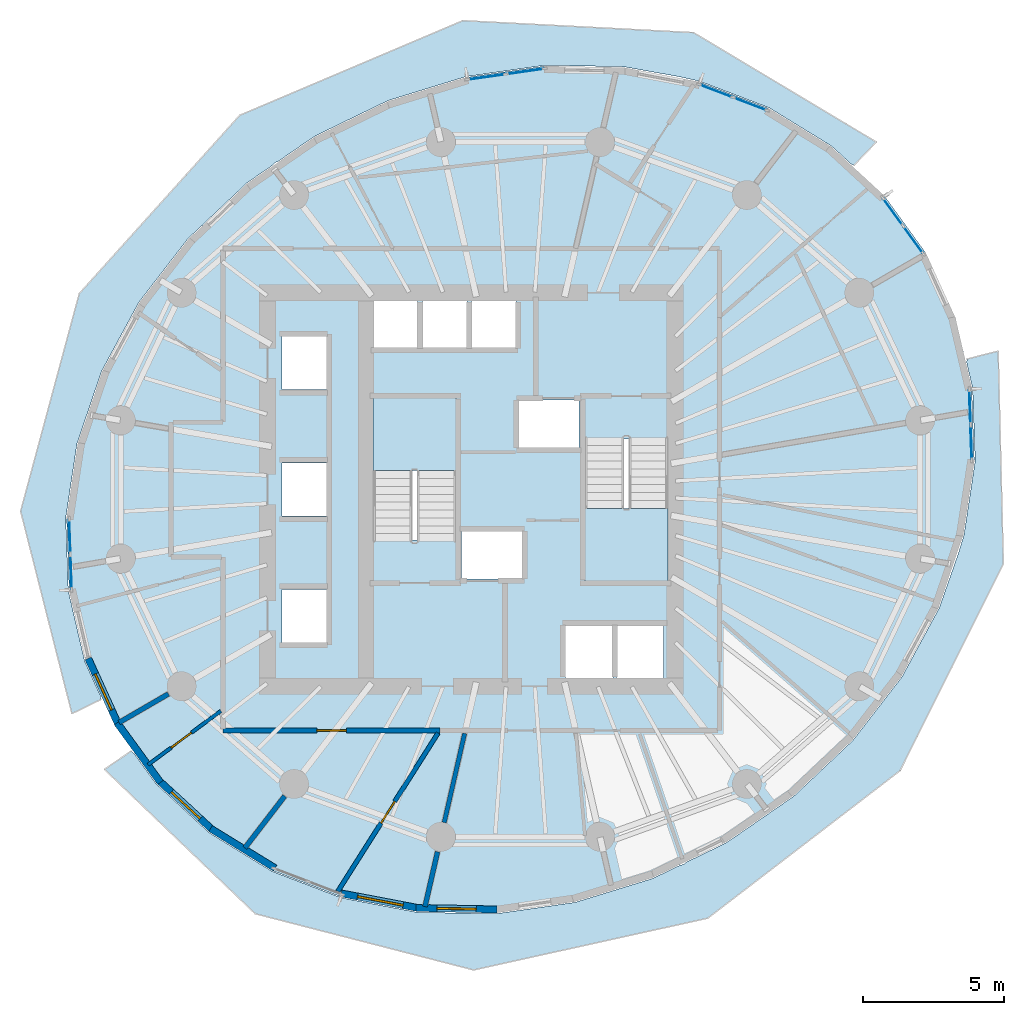
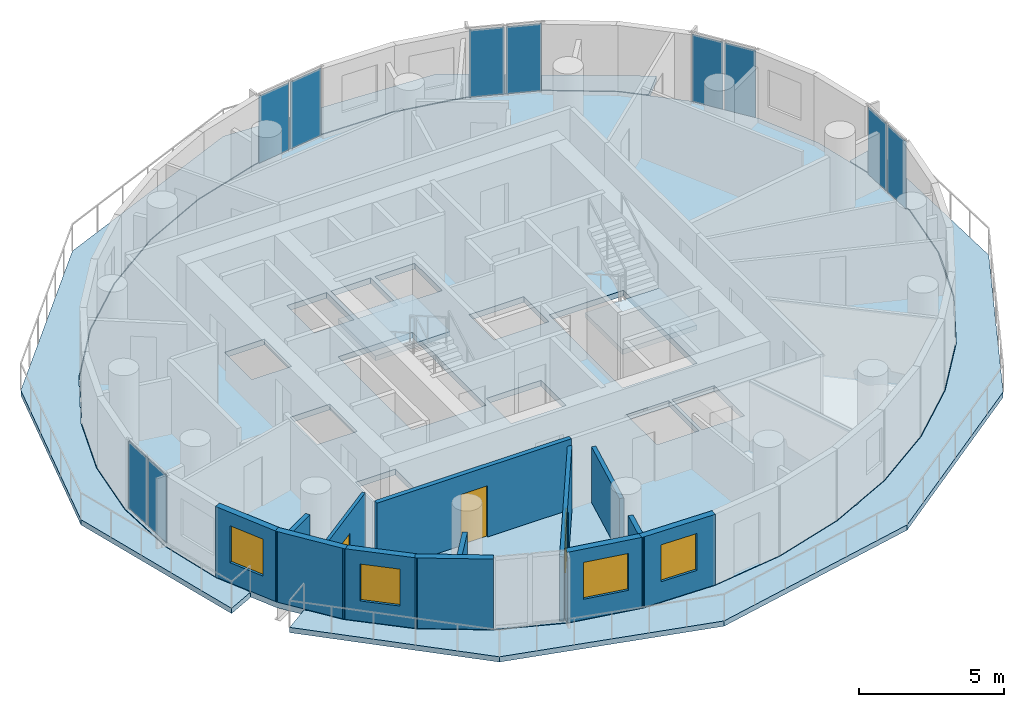
# One storey, part 5 of 14: 13 walls, 10 plates, 5 slabs, 4 windows, 3 doors, 7 openings, 7 elements without a shape of their own.
"""IFC4 building model written with IfcOpenShell, lengths in metres."""

import ifcopenshell
import ifcopenshell.guid

model = None  # the IFC model being written
_history = None  # IfcOwnerHistory: only IFC2X3 demands one
_inside = {}  # id of a spatial element -> (the spatial element, [elements in it])
_under = {}  # id of a project, library or spatial element -> (it, [spatial elements below it])
_declared = {}  # id of a project -> (the project, [libraries it declares])
_typed = {}  # id of a type object -> (the type object, [elements of that type])
_made_of = {}  # id of a material, layer set ... -> (it, [elements and type objects made of it])


def new_model(schema):
    """Start an empty IFC model of exactly this schema.

    Asked for "IFC4X3", IfcOpenShell would pick the latest addendum, in which some entities
    have other attributes; the version numbers below select the first issue.
    IFC2X3 requires an IfcOwnerHistory on every rooted entity: one is made here for all.
    """
    global model, _history
    if schema == "IFC4X3":
        model = ifcopenshell.file(schema_version=(4, 3, 0, 0))
    else:
        model = ifcopenshell.file(schema=schema)
    _inside.clear()
    _under.clear()
    _declared.clear()
    _typed.clear()
    _made_of.clear()
    _history = None
    if model.schema == "IFC2X3":
        org = make("IfcOrganization", Name="unknown")
        user = make(
            "IfcPersonAndOrganization",
            ThePerson=make("IfcPerson", FamilyName="unknown"),
            TheOrganization=org,
        )
        app = make(
            "IfcApplication",
            ApplicationDeveloper=org,
            Version="unknown",
            ApplicationFullName="unknown",
            ApplicationIdentifier="unknown",
        )
        _history = make(
            "IfcOwnerHistory",
            OwningUser=user,
            OwningApplication=app,
            ChangeAction="ADDED",
            CreationDate=0,
        )
    return model


def make(cls, **values):
    """One entity of the class cls with the attributes given. An attribute that is None is left unset."""
    return model.create_entity(
        cls, **{name: value for name, value in values.items() if value is not None}
    )


def rooted(cls, **values):
    """An entity with a GlobalId (a new one), such as an element, a storey or a relation."""
    return make(cls, GlobalId=ifcopenshell.guid.new(), OwnerHistory=_history, **values)


def si_unit(unit_type, name, prefix=None):
    """IfcSIUnit, for example si_unit("LENGTHUNIT", "METRE", prefix="MILLI")."""
    return make("IfcSIUnit", UnitType=unit_type, Prefix=prefix, Name=name)


def assignment(units):
    """IfcUnitAssignment: the units of a project."""
    return None if units is None else make("IfcUnitAssignment", Units=units)


def point(xyz):
    """IfcCartesianPoint."""
    return None if xyz is None else make("IfcCartesianPoint", Coordinates=xyz)


def direction(xyz):
    """IfcDirection."""
    return None if xyz is None else make("IfcDirection", DirectionRatios=xyz)


def frame(location, z_axis=None, x_axis=None):
    """IfcAxis2Placement3D, a coordinate frame: its origin and axes. An axis left out is left unset."""
    return make(
        "IfcAxis2Placement3D",
        Location=point(location),
        Axis=direction(z_axis),
        RefDirection=direction(x_axis),
    )


def frame_2d(location, x_axis=None):
    """IfcAxis2Placement2D, a coordinate frame in the plane: its origin and x axis."""
    return make(
        "IfcAxis2Placement2D", Location=point(location), RefDirection=direction(x_axis)
    )


def origin():
    """The frame at (0, 0, 0) with its axes left unset."""
    return frame((0.0, 0.0, 0.0))


def origin_2d():
    """The frame at (0, 0) in the plane with its x axis left unset."""
    return frame_2d((0.0, 0.0))


def place(relative_to, where):
    """IfcLocalPlacement: puts the frame where relative to a parent placement (None: the world)."""
    return make(
        "IfcLocalPlacement", PlacementRelTo=relative_to, RelativePlacement=where
    )


def context(
    kind, dimensions, precision=None, world=None, true_north=None, identifier=None
):
    """IfcGeometricRepresentationContext, for example the 3D "Model" context."""
    return make(
        "IfcGeometricRepresentationContext",
        ContextIdentifier=identifier,
        ContextType=kind,
        CoordinateSpaceDimension=dimensions,
        Precision=precision,
        WorldCoordinateSystem=world,
        TrueNorth=true_north,
    )


def subcontext(parent, identifier, kind, view, scale=None):
    """IfcGeometricRepresentationSubContext, for example "Body" below "Model"."""
    return make(
        "IfcGeometricRepresentationSubContext",
        ContextIdentifier=identifier,
        ContextType=kind,
        ParentContext=parent,
        TargetScale=scale,
        TargetView=view,
    )


def project(units=None, contexts=None):
    """IfcProject with its units and contexts."""
    return rooted(
        "IfcProject",
        Name="project",
        RepresentationContexts=contexts,
        UnitsInContext=assignment(units),
    )


def spatial(cls, under=None, at=None, **own):
    """A site, building, storey or space (cls), placed at a placement, below another one or the project."""
    s = rooted(cls, ObjectPlacement=at, **own)
    if under is not None:
        _under.setdefault(under.id(), (under, []))[1].append(s)
    return s


def polyline(points):
    """IfcPolyline through the points."""
    return make("IfcPolyline", Points=[point(p) for p in points])


def profile(cls, at=None, kind="AREA", **sizes):
    """A parametric profile (cls). Its sizes go by their IFC names, for example OverallWidth=200.0."""
    return make(cls, ProfileType=kind, Position=at, **sizes)


def rectangle(**sizes):
    """IfcRectangleProfileDef."""
    return profile("IfcRectangleProfileDef", **sizes)


def outline(outer, holes=None, kind="AREA"):
    """IfcArbitraryClosedProfileDef: a profile drawn as a closed curve; with holes, ...WithVoids."""
    if holes is None:
        return make("IfcArbitraryClosedProfileDef", ProfileType=kind, OuterCurve=outer)
    return make(
        "IfcArbitraryProfileDefWithVoids",
        ProfileType=kind,
        OuterCurve=outer,
        InnerCurves=holes,
    )


def extrude(swept, where, along, depth):
    """IfcExtrudedAreaSolid: the profile swept, set in the frame where, extruded along a direction by depth."""
    return make(
        "IfcExtrudedAreaSolid",
        SweptArea=swept,
        Position=where,
        ExtrudedDirection=direction(along),
        Depth=depth,
    )


def shape(context_of_items, identifier, shape_type, items):
    """IfcShapeRepresentation: the items that make up one representation, for example the "Body"."""
    return make(
        "IfcShapeRepresentation",
        ContextOfItems=context_of_items,
        RepresentationIdentifier=identifier,
        RepresentationType=shape_type,
        Items=items,
    )


def material(Name=None, Category=None):
    """IfcMaterial."""
    return make("IfcMaterial", Name=Name, Category=Category)


def layer(
    of_material, thickness, ventilated=None, Name=None, Category=None, Priority=None
):
    """IfcMaterialLayer: one layer of a wall or slab, of a material (None: an air gap)."""
    return make(
        "IfcMaterialLayer",
        Material=of_material,
        LayerThickness=thickness,
        IsVentilated=ventilated,
        Name=Name,
        Category=Category,
        Priority=Priority,
    )


def layer_set(layers, Name=None):
    """IfcMaterialLayerSet."""
    return make("IfcMaterialLayerSet", MaterialLayers=layers, LayerSetName=Name)


def made_of(thing, what):
    """Note that an element or type object is made of a material, layer set ...; save() writes the relation."""
    if what is not None:
        _made_of.setdefault(what.id(), (what, []))[1].append(thing)
    return thing


def type_object(cls, material=None, **own):
    """A type object (cls), such as IfcWallType, which elements share."""
    return made_of(rooted(cls, **own), material)


def element(
    cls,
    number,
    at=None,
    inside=None,
    cuts=None,
    type_object=None,
    material=None,
    context=None,
    identifier="Body",
    shape_type=None,
    held_by="IfcProductDefinitionShape",
    body=None,
    shapes=None,
    **own,
):
    """One element of the class cls, such as IfcWall. Its Tag is "e" and its number.

    at: its placement. inside: the storey or other place that contains it. cuts: it is an
    opening in that element (IfcRelVoidsElement). A single representation is given by context,
    identifier, shape_type and body (its items); several are given by shapes. held_by: the class
    of the entity that holds the representations. save() writes the other relations.
    """
    e = rooted(cls, Tag="e%d" % number, ObjectPlacement=at, **own)
    if body is not None:
        shapes = [shape(context, identifier, shape_type, body)]
    if shapes is not None:
        e.Representation = make(held_by, Representations=shapes)
    if inside is not None:
        _inside.setdefault(inside.id(), (inside, []))[1].append(e)
    if cuts is not None:
        rooted(
            "IfcRelVoidsElement", RelatingBuildingElement=cuts, RelatedOpeningElement=e
        )
    if type_object is not None:
        _typed.setdefault(type_object.id(), (type_object, []))[1].append(e)
    return made_of(e, material)


def fill(opening, filler):
    """IfcRelFillsElement: the door or window that sits in an opening."""
    return rooted(
        "IfcRelFillsElement",
        RelatingOpeningElement=opening,
        RelatedBuildingElement=filler,
    )


def aggregate(whole, parts):
    """IfcRelAggregates: a whole, such as a stair, and the parts it consists of."""
    return rooted("IfcRelAggregates", RelatingObject=whole, RelatedObjects=parts)


def save(model, path):
    """Write the relations noted so far, then the file.

    IfcRelAggregates (storeys below a building ...), IfcRelContainedInSpatialStructure (elements
    in a storey), IfcRelDefinesByType, IfcRelAssociatesMaterial and IfcRelDeclares: one each for
    every whole, place, type object, material and project.
    """
    for whole, parts in _under.values():
        aggregate(whole, parts)
    for where, things in _inside.values():
        rooted(
            "IfcRelContainedInSpatialStructure",
            RelatedElements=things,
            RelatingStructure=where,
        )
    for kind, things in _typed.values():
        rooted("IfcRelDefinesByType", RelatedObjects=things, RelatingType=kind)
    for what, things in _made_of.values():
        rooted("IfcRelAssociatesMaterial", RelatedObjects=things, RelatingMaterial=what)
    for by, libraries in _declared.values():
        rooted("IfcRelDeclares", RelatingContext=by, RelatedDefinitions=libraries)
    model.write(path)


model = new_model("IFC4")

# Units and contexts
model_context = context("Model", 3, precision=1e-05, world=origin(), true_north=direction((0.0, 1.0)))
body_context = subcontext(model_context, "Body", "Model", "MODEL_VIEW")
ifc_project = project(units=[si_unit("LENGTHUNIT", "METRE"), si_unit("AREAUNIT", "SQUARE_METRE"), si_unit("VOLUMEUNIT", "CUBIC_METRE"), si_unit("PLANEANGLEUNIT", "RADIAN"), si_unit("MASSUNIT", "GRAM", prefix="KILO")], contexts=[model_context])

# Site, building, storey
site_placement = place(None, origin())
site = spatial("IfcSite", under=ifc_project, at=site_placement, CompositionType="ELEMENT")
building_placement = place(site_placement, origin())
building = spatial("IfcBuilding", under=site, at=building_placement, Name="Veldorim Arch Residences", CompositionType="ELEMENT")
storey_placement = place(building_placement, frame((0.0, 0.0, 126.56005859375)))
storey = spatial("IfcBuildingStorey", under=building, at=storey_placement, Name="L37", CompositionType="ELEMENT", Elevation=126.56005859375)

# Slabs
ifc_material_1 = material(Name="Concrete C40/50", Category="concrete")
ifc_layer_1 = layer(ifc_material_1, 0.219970703125, Name="Planted Crescent Cantilever Balcony Slab 220")
ifc_layer_set_1 = layer_set([ifc_layer_1], Name="Concrete C40/50")
slab_type_1 = type_object("IfcSlabType", Name="Planted Crescent Cantilever Balcony Slab 220", PredefinedType="FLOOR", material=ifc_layer_set_1)
slab_1_placement = place(storey_placement, frame((0.0, 0.0, -0.219970703125)))
element("IfcSlab", 1, at=slab_1_placement, inside=storey, type_object=slab_type_1, Name="L37 planted crescent balcony slab A", PredefinedType="FLOOR", context=body_context, shape_type="SweptSolid", body=[
    extrude(outline(polyline([(43.74560546875, 35.593017578125), (43.071533203125, 36.213623046875), (40.849365234375, 37.578369140625), (38.358642578125, 38.5302734375), (37.673095703125, 38.68115234375), (35.674560546875, 39.04052734375), (32.87939453125, 39.09375), (30.057373046875, 38.688720703125), (27.294677734375, 37.83740234375), (24.6748046875, 36.56591796875), (23.388916015625, 35.67919921875), (23.24951171875, 35.617919921875), (23.159423828125, 35.52099609375), (22.27734375, 34.91259765625), (20.17529296875, 32.927978515625), (18.432373046875, 30.672119140625), (17.101318359375, 28.213134765625), (16.222900390625, 25.626220703125), (15.823974609375, 22.98974609375), (15.91650390625, 20.3837890625), (16.498046875, 17.887451171875), (17.048583984375, 16.678955078125), (17.075439453125, 16.53125), (16.0419921875, 16.026611328125), (14.21630859375, 23.227783203125), (16.30322265625, 30.971435546875), (22.011962890625, 37.314208984375), (29.949951171875, 40.68115234375), (38.159423828125, 40.25537109375), (44.6591796875, 36.36328125), (43.863037109375, 35.533447265625), (43.74560546875, 35.593017578125)])), origin(), (0.0, 0.0, 1.0), 0.219970703125),
])
slab_2_placement = place(storey_placement, frame((0.0, 0.0, -0.219970703125)))
element("IfcSlab", 2, at=slab_2_placement, inside=storey, type_object=slab_type_1, Name="L37 planted crescent balcony slab B", PredefinedType="FLOOR", context=body_context, shape_type="SweptSolid", body=[
    extrude(outline(polyline([(18.262451171875, 14.5966796875), (19.042724609375, 13.522216796875), (20.928466796875, 11.786376953125), (23.150634765625, 10.421630859375), (25.641357421875, 9.4697265625), (28.325439453125, 8.95947265625), (31.12060546875, 8.90625), (33.942626953125, 9.311279296875), (36.705322265625, 10.16259765625), (37.66943359375, 10.630615234375), (37.798095703125, 10.6611328125), (37.919921875, 10.752197265625), (39.3251953125, 11.43408203125), (41.72265625, 13.08740234375), (43.82470703125, 15.072021484375), (45.567626953125, 17.327880859375), (46.898681640625, 19.786865234375), (47.570556640625, 21.702880859375), (47.777099609375, 22.373779296875), (48.176025390625, 25.01025390625), (48.08349609375, 27.6162109375), (47.87548828125, 28.50830078125), (47.881591796875, 28.64013671875), (48.995849609375, 28.924072265625), (49.18017578125, 21.3505859375), (45.505615234375, 13.996826171875), (38.664306640625, 8.748291015625), (30.332275390625, 6.906005859375), (22.5654296875, 8.905517578125), (17.19873046875, 14.04248046875), (18.147216796875, 14.69287109375), (18.262451171875, 14.5966796875)])), origin(), (0.0, 0.0, 1.0), 0.219970703125),
])

# Stair, slab
ifc_material_2 = material(Name="Concrete C40/50", Category="concrete")
stair_type = type_object("IfcStairType", Name="Reinforced Concrete Dogleg Exit Staircase", PredefinedType="HALF_TURN_STAIR", material=ifc_material_2)
stair_1_placement = place(storey_placement, origin())
stair_1 = element("IfcStair", 3, at=stair_1_placement, inside=storey, type_object=stair_type, Name="L37 Exit Staircase ST-1", PredefinedType="HALF_TURN_STAIR")
ifc_material_3 = material(Name="Concrete C40/50", Category="concrete")
ifc_layer_2 = layer(ifc_material_3, 0.199951171875, Name="Reinforced Concrete Stair Landing 200")
ifc_layer_set_2 = layer_set([ifc_layer_2], Name="Concrete C40/50")
slab_type_2 = type_object("IfcSlabType", Name="Reinforced Concrete Stair Landing 200", PredefinedType="LANDING", material=ifc_layer_set_2)
slab_3_placement = place(storey_placement, frame((0.0, 0.0, 1.39990234375)))
slab_3 = element("IfcSlab", 4, at=slab_3_placement, type_object=slab_type_2, Name="ST-1 landing 1", PredefinedType="LANDING", context=body_context, shape_type="SweptSolid", body=[
    extrude(outline(polyline([(29.7099609375, 24.669921875), (29.7099609375, 27.25), (26.75, 27.25), (26.75, 24.669921875), (29.7099609375, 24.669921875)])), origin(), (0.0, 0.0, 1.0), 0.199951171875),
])
aggregate(stair_1, [slab_3])

stair_2_placement = place(storey_placement, origin())
stair_2 = element("IfcStair", 5, at=stair_2_placement, inside=storey, type_object=stair_type, Name="L37 Exit Staircase ST-2", PredefinedType="HALF_TURN_STAIR")
slab_4_placement = place(storey_placement, frame((0.0, 0.0, 1.39990234375)))
slab_4 = element("IfcSlab", 6, at=slab_4_placement, type_object=slab_type_2, Name="ST-2 landing 1", PredefinedType="LANDING", context=body_context, shape_type="SweptSolid", body=[
    extrude(outline(polyline([(34.2900390625, 23.330078125), (34.2900390625, 20.75), (37.25, 20.75), (37.25, 23.330078125), (34.2900390625, 23.330078125)])), origin(), (0.0, 0.0, 1.0), 0.199951171875),
])
aggregate(stair_2, [slab_4])

# Slab
ifc_material_4 = material(Name="Concrete C40/50", Category="concrete")
ifc_layer_3 = layer(ifc_material_4, 0.239990234375, Name="Typical Residential Floor Slab 240")
ifc_layer_set_3 = layer_set([ifc_layer_3], Name="Concrete C40/50")
slab_type_3 = type_object("IfcSlabType", Name="Typical Residential Floor Slab 240", PredefinedType="FLOOR", material=ifc_layer_set_3)
slab_5_placement = place(storey_placement, frame((0.0, 0.0, -0.239990234375)))
element("IfcSlab", 7, at=slab_5_placement, inside=storey, type_object=slab_type_3, Name="L37 tower structural floor slab", PredefinedType="FLOOR", context=body_context, shape_type="SweptSolid", body=[
    extrude(outline(polyline([(46.427490234375, 32.410400390625), (44.9384765625, 34.4609375), (43.056396484375, 36.193603515625), (40.83837890625, 37.555908203125), (38.351806640625, 38.506103515625), (35.672119140625, 39.015625), (32.880859375, 39.06884765625), (30.06298828125, 38.664306640625), (27.3037109375, 37.814208984375), (24.6875, 36.544189453125), (22.293212890625, 34.89306640625), (20.19384765625, 32.9111328125), (18.453369140625, 30.658203125), (17.12451171875, 28.203125), (16.247314453125, 25.620361328125), (15.84912109375, 22.98828125), (15.94140625, 20.38720703125), (16.521728515625, 17.8955078125), (17.572509765625, 15.589599609375), (19.0615234375, 13.5390625), (20.943603515625, 11.806396484375), (23.16162109375, 10.444091796875), (25.648193359375, 9.493896484375), (28.327880859375, 8.984375), (31.119140625, 8.93115234375), (33.93701171875, 9.335693359375), (36.6962890625, 10.185791015625), (39.3125, 11.455810546875), (41.706787109375, 13.10693359375), (43.80615234375, 15.0888671875), (45.546630859375, 17.341796875), (46.87548828125, 19.796875), (47.752685546875, 22.379638671875), (48.15087890625, 25.01171875), (48.05859375, 27.61279296875), (47.478271484375, 30.1044921875), (46.427490234375, 32.410400390625)]), holes=[polyline([(23.510009765625, 18.56005859375), (23.510009765625, 20.43994140625), (25.090087890625, 20.43994140625), (25.090087890625, 18.56005859375), (23.510009765625, 18.56005859375)]), polyline([(23.510009765625, 24.93994140625), (25.090087890625, 24.93994140625), (25.090087890625, 23.06005859375), (23.510009765625, 23.06005859375), (23.510009765625, 24.93994140625)]), polyline([(26.75, 27.25), (29.7099609375, 27.25), (29.7099609375, 22.195068359375), (26.75, 22.195068359375), (26.75, 27.25)]), polyline([(23.510009765625, 27.56005859375), (23.510009765625, 29.43994140625), (25.090087890625, 29.43994140625), (25.090087890625, 27.56005859375), (23.510009765625, 27.56005859375)]), polyline([(26.760009765625, 30.7900390625), (28.340087890625, 30.7900390625), (28.340087890625, 28.909912109375), (26.760009765625, 28.909912109375), (26.760009765625, 30.7900390625)]), polyline([(28.510009765625, 30.7900390625), (30.090087890625, 30.7900390625), (30.090087890625, 28.909912109375), (28.510009765625, 28.909912109375), (28.510009765625, 30.7900390625)]), polyline([(33.610107421875, 17.2099609375), (33.610107421875, 19.2900390625), (35.2900390625, 19.2900390625), (35.2900390625, 17.2099609375), (33.610107421875, 17.2099609375)]), polyline([(35.409912109375, 19.2900390625), (37.090087890625, 19.2900390625), (37.090087890625, 17.2099609375), (35.409912109375, 17.2099609375), (35.409912109375, 19.2900390625)]), polyline([(29.909912109375, 22.544921875), (32.090087890625, 22.544921875), (32.090087890625, 20.81494140625), (29.909912109375, 20.81494140625), (29.909912109375, 22.544921875)]), polyline([(34.2900390625, 20.75), (34.2900390625, 25.804931640625), (37.25, 25.804931640625), (37.25, 20.75), (34.2900390625, 20.75)]), polyline([(31.909912109375, 27.18505859375), (34.090087890625, 27.18505859375), (34.090087890625, 25.455078125), (31.909912109375, 25.455078125), (31.909912109375, 27.18505859375)]), polyline([(30.260009765625, 30.7900390625), (31.840087890625, 30.7900390625), (31.840087890625, 28.909912109375), (30.260009765625, 28.909912109375), (30.260009765625, 30.7900390625)])]), origin(), (0.0, 0.0, 1.0), 0.239990234375),
])

# Curtain wall, plates
ifc_material_5 = material(Name="Aluminium", Category="aluminium")
curtain_wall_type = type_object("IfcCurtainWallType", Name="Zone 3 High-Wind Unitised Curtain Wall", PredefinedType="NOTDEFINED", material=ifc_material_5)
curtain_wall_1_placement = place(storey_placement, origin())
curtain_wall_1 = element("IfcCurtainWall", 8, at=curtain_wall_1_placement, inside=storey, type_object=curtain_wall_type, Name="L37 unitised curtain wall bay 01", PredefinedType="NOTDEFINED")
ifc_material_6 = material(Name="Laminated Low-E Glass", Category="glass")
ifc_layer_4 = layer(ifc_material_6, 0.028076171875, Name="Zone 3 High-Wind Unitised Curtain Wall Glazing Panel 28")
ifc_layer_set_4 = layer_set([ifc_layer_4], Name="Laminated Low-E Glass")
plate_type = type_object("IfcPlateType", Name="Zone 3 High-Wind Unitised Curtain Wall Glazing Panel 28", PredefinedType="CURTAIN_PANEL", material=ifc_layer_set_4)
plate_1_placement = place(storey_placement, frame((45.248291015625, 33.88134765625, 0.06982421875), z_axis=(0.0, 0.0, 1.0), x_axis=(0.587584949886, -0.809162484713, 0.0)))
plate_1 = element("IfcPlate", 9, at=plate_1_placement, type_object=plate_type, Name="CW-Z3 panel 1.1", PredefinedType="CURTAIN_PANEL", context=body_context, shape_type="SweptSolid", body=[
    extrude(rectangle(XDim=1.162109375, YDim=0.028076171875, at=origin_2d()), origin(), (0.0, 0.0, 1.0), 2.820068359375),
])
plate_2_placement = place(storey_placement, frame((45.97216796875, 32.88427734375, 0.06982421875), z_axis=(0.0, 0.0, 1.0), x_axis=(0.587584949886, -0.809162484713, 0.0)))
plate_2 = element("IfcPlate", 10, at=plate_2_placement, type_object=plate_type, Name="CW-Z3 panel 2.1", PredefinedType="CURTAIN_PANEL", context=body_context, shape_type="SweptSolid", body=[
    extrude(rectangle(XDim=1.162109375, YDim=0.028076171875, at=origin_2d()), origin(), (0.0, 0.0, 1.0), 2.820068359375),
])
aggregate(curtain_wall_1, [plate_1, plate_2])

curtain_wall_2_placement = place(storey_placement, origin())
curtain_wall_2 = element("IfcCurtainWall", 11, at=curtain_wall_2_placement, inside=storey, type_object=curtain_wall_type, Name="L37 unitised curtain wall bay 04", PredefinedType="NOTDEFINED")
plate_3_placement = place(storey_placement, frame((38.95751953125, 38.17822265625, 0.06982421875), z_axis=(0.0, 0.0, 1.0), x_axis=(0.934109319568, -0.356987085335, 0.0)))
plate_3 = element("IfcPlate", 12, at=plate_3_placement, type_object=plate_type, Name="CW-Z3 panel 1.1", PredefinedType="CURTAIN_PANEL", context=body_context, shape_type="SweptSolid", body=[
    extrude(rectangle(XDim=1.22607421875, YDim=0.028076171875, at=origin_2d()), origin(), (0.0, 0.0, 1.0), 2.820068359375),
])
plate_4_placement = place(storey_placement, frame((40.168212890625, 37.715576171875, 0.06982421875), z_axis=(0.0, 0.0, 1.0), x_axis=(0.934109319568, -0.356987085335, 0.0)))
plate_4 = element("IfcPlate", 13, at=plate_4_placement, type_object=plate_type, Name="CW-Z3 panel 2.1", PredefinedType="CURTAIN_PANEL", context=body_context, shape_type="SweptSolid", body=[
    extrude(rectangle(XDim=1.22607421875, YDim=0.028076171875, at=origin_2d()), origin(), (0.0, 0.0, 1.0), 2.820068359375),
])
aggregate(curtain_wall_2, [plate_3, plate_4])

curtain_wall_3_placement = place(storey_placement, origin())
curtain_wall_3 = element("IfcCurtainWall", 14, at=curtain_wall_3_placement, inside=storey, type_object=curtain_wall_type, Name="L37 unitised curtain wall bay 07", PredefinedType="NOTDEFINED")
plate_5_placement = place(storey_placement, frame((30.797607421875, 38.6787109375, 0.06982421875), z_axis=(0.0, 0.0, 1.0), x_axis=(0.989849489651, 0.142119625096, 0.0)))
plate_5 = element("IfcPlate", 15, at=plate_5_placement, type_object=plate_type, Name="CW-Z3 panel 1.1", PredefinedType="CURTAIN_PANEL", context=body_context, shape_type="SweptSolid", body=[
    extrude(rectangle(XDim=1.318359375, YDim=0.028076171875, at=origin_2d()), origin(), (0.0, 0.0, 1.0), 2.820068359375),
])
plate_6_placement = place(storey_placement, frame((32.171875, 38.8759765625, 0.06982421875), z_axis=(0.0, 0.0, 1.0), x_axis=(0.989849489651, 0.142119625096, 0.0)))
plate_6 = element("IfcPlate", 16, at=plate_6_placement, type_object=plate_type, Name="CW-Z3 panel 2.1", PredefinedType="CURTAIN_PANEL", context=body_context, shape_type="SweptSolid", body=[
    extrude(rectangle(XDim=1.318359375, YDim=0.028076171875, at=origin_2d()), origin(), (0.0, 0.0, 1.0), 2.820068359375),
])
aggregate(curtain_wall_3, [plate_5, plate_6])

curtain_wall_4_placement = place(storey_placement, origin())
curtain_wall_4 = element("IfcCurtainWall", 17, at=curtain_wall_4_placement, inside=storey, type_object=curtain_wall_type, Name="L37 unitised curtain wall bay 16", PredefinedType="NOTDEFINED")
plate_7_placement = place(storey_placement, frame((16.007568359375, 21.05810546875, 0.06982421875), z_axis=(0.0, 0.0, 1.0), x_axis=(-0.035498313784, 0.999369736243, 0.0)))
plate_7 = element("IfcPlate", 18, at=plate_7_placement, type_object=plate_type, Name="CW-Z3 panel 1.1", PredefinedType="CURTAIN_PANEL", context=body_context, shape_type="SweptSolid", body=[
    extrude(rectangle(XDim=1.196533203125, YDim=0.028076171875, at=origin_2d()), origin(), (0.0, 0.0, 1.0), 2.820068359375),
])
plate_8_placement = place(storey_placement, frame((15.962646484375, 22.32373046875, 0.06982421875), z_axis=(0.0, 0.0, 1.0), x_axis=(-0.035498313784, 0.999369736243, 0.0)))
plate_8 = element("IfcPlate", 19, at=plate_8_placement, type_object=plate_type, Name="CW-Z3 panel 2.1", PredefinedType="CURTAIN_PANEL", context=body_context, shape_type="SweptSolid", body=[
    extrude(rectangle(XDim=1.196533203125, YDim=0.028076171875, at=origin_2d()), origin(), (0.0, 0.0, 1.0), 2.820068359375),
])
aggregate(curtain_wall_4, [plate_7, plate_8])

curtain_wall_5_placement = place(storey_placement, origin())
curtain_wall_5 = element("IfcCurtainWall", 20, at=curtain_wall_5_placement, inside=storey, type_object=curtain_wall_type, Name="L37 unitised curtain wall bay 34", PredefinedType="NOTDEFINED")
plate_9_placement = place(storey_placement, frame((47.992431640625, 26.94189453125, 0.06982421875), z_axis=(0.0, 0.0, 1.0), x_axis=(0.035498313784, -0.999369736243, 0.0)))
plate_9 = element("IfcPlate", 21, at=plate_9_placement, type_object=plate_type, Name="CW-Z3 panel 1.1", PredefinedType="CURTAIN_PANEL", context=body_context, shape_type="SweptSolid", body=[
    extrude(rectangle(XDim=1.196533203125, YDim=0.028076171875, at=origin_2d()), origin(), (0.0, 0.0, 1.0), 2.820068359375),
])
plate_10_placement = place(storey_placement, frame((48.037353515625, 25.67626953125, 0.06982421875), z_axis=(0.0, 0.0, 1.0), x_axis=(0.035498313784, -0.999369736243, 0.0)))
plate_10 = element("IfcPlate", 22, at=plate_10_placement, type_object=plate_type, Name="CW-Z3 panel 2.1", PredefinedType="CURTAIN_PANEL", context=body_context, shape_type="SweptSolid", body=[
    extrude(rectangle(XDim=1.196533203125, YDim=0.028076171875, at=origin_2d()), origin(), (0.0, 0.0, 1.0), 2.820068359375),
])
aggregate(curtain_wall_5, [plate_9, plate_10])

# Wall, opening, door
ifc_material_7 = material(Name="Acoustic Gypsum Board", Category="gypsum")
ifc_layer_5 = layer(ifc_material_7, 0.125, Name="Acoustic Stud Room Partition Wall 125")
ifc_layer_set_5 = layer_set([ifc_layer_5], Name="Acoustic Gypsum Board")
wall_type_1 = type_object("IfcWallType", Name="Acoustic Stud Room Partition Wall 125", PredefinedType="PARTITIONING", material=ifc_layer_set_5)
wall_1_placement = place(storey_placement, frame((18.749267578125, 14.20703125, 0.0), z_axis=(0.0, 0.0, 1.0), x_axis=(0.804182442208, 0.594382536456, 0.0)))
wall_1 = element("IfcWall", 23, at=wall_1_placement, inside=storey, type_object=wall_type_1, Name="L37 interior wall WL-RES-L37-031", PredefinedType="PARTITIONING", context=body_context, shape_type="SweptSolid", body=[
    extrude(rectangle(XDim=3.22119140625, YDim=0.125, at=frame_2d((1.610595703125, 0.0))), origin(), (0.0, 0.0, 1.0), 2.954833984375),
])
opening_1_placement = place(wall_1_placement, frame((1.0205078125, 0.0, 0.0)))
opening_1 = element("IfcOpeningElement", 24, at=opening_1_placement, cuts=wall_1, Name="Opening DR-INT", PredefinedType="OPENING", context=body_context, shape_type="SweptSolid", body=[
    extrude(rectangle(XDim=0.89990234375, YDim=2.10009765625, at=frame_2d((0.449951171875, 1.050048828125))), frame((0.0, 0.072509765625, 0.0), z_axis=(0.0, -1.0, 0.0), x_axis=(1.0, 0.0, 0.0)), (0.0, 0.0, 1.0), 0.14501953125),
])
ifc_material_8 = material(Name="Engineered Timber", Category="wood")
door_type_1 = type_object("IfcDoorType", Name="Apartment Internal Room Timber Door 900x2100", OperationType="SINGLE_SWING_LEFT", PredefinedType="DOOR", material=ifc_material_8)
door_1_placement = place(opening_1_placement, origin())
door_1 = element("IfcDoor", 25, at=door_1_placement, inside=storey, type_object=door_type_1, Name="L37 interior door DR-RES-L37-018", OperationType="SINGLE_SWING_RIGHT", OverallHeight=2.10009765625, OverallWidth=0.89990234375, PredefinedType="DOOR", context=body_context, shape_type="SweptSolid", body=[
    extrude(rectangle(XDim=0.89990234375, YDim=2.10009765625, at=frame_2d((0.449951171875, 1.050048828125))), frame((0.0, 0.02490234375, 0.0), z_axis=(0.0, -1.0, 0.0), x_axis=(1.0, 0.0, 0.0)), (0.0, 0.0, 1.0), 0.050048828125),
])
fill(opening_1, door_1)

# Walls
ifc_material_9 = material(Name="Lightweight Masonry Block & Gypsum", Category="masonry")
ifc_layer_6 = layer(ifc_material_9, 0.179931640625, Name="Compartment & Corridor Fire-Rated Party Wall 180")
ifc_layer_set_6 = layer_set([ifc_layer_6], Name="Lightweight Masonry Block & Gypsum")
wall_type_2 = type_object("IfcWallType", Name="Compartment & Corridor Fire-Rated Party Wall 180", PredefinedType="PARTITIONING", material=ifc_layer_set_6)
wall_2_placement = place(storey_placement, frame((19.472412109375, 16.72607421875, 0.0), z_axis=(0.0, 0.0, 1.0), x_axis=(-0.86481084581, -0.502097800203, 0.0)))
element("IfcWall", 26, at=wall_2_placement, inside=storey, type_object=wall_type_2, Name="L37 interior wall WL-PIER-L37-10", PredefinedType="PARTITIONING", context=body_context, shape_type="SweptSolid", body=[
    extrude(rectangle(XDim=2.030029296875, YDim=0.179931640625, at=frame_2d((1.01513671875, 0.0))), origin(), (0.0, 0.0, 1.0), 2.335693359375),
])
wall_3_placement = place(storey_placement, frame((23.612060546875, 13.091552734375, 0.0), z_axis=(0.0, 0.0, 1.0), x_axis=(-0.609553382458, -0.792745024541, 0.0)))
element("IfcWall", 27, at=wall_3_placement, inside=storey, type_object=wall_type_2, Name="L37 interior wall WL-PIER-L37-11", PredefinedType="PARTITIONING", context=body_context, shape_type="SweptSolid", body=[
    extrude(rectangle(XDim=2.32421875, YDim=0.179931640625, at=frame_2d((1.162109375, 0.0))), origin(), (0.0, 0.0, 1.0), 2.335693359375),
])
wall_4_placement = place(storey_placement, frame((29.049560546875, 11.11083984375, 0.0), z_axis=(0.0, 0.0, 1.0), x_axis=(-0.2231492674, -0.974784286116, 0.0)))
element("IfcWall", 28, at=wall_4_placement, inside=storey, type_object=wall_type_2, Name="L37 interior wall WL-PIER-L37-12", PredefinedType="PARTITIONING", context=body_context, shape_type="SweptSolid", body=[
    extrude(rectangle(XDim=2.002197265625, YDim=0.179931640625, at=frame_2d((1.0009765625, 0.0))), origin(), (0.0, 0.0, 1.0), 2.335693359375),
])

# Wall, opening, door
wall_5_placement = place(storey_placement, frame((29.141357421875, 15.419921875, 0.0), z_axis=(0.0, 0.0, 1.0), x_axis=(-1.0, 0.0, 0.0)))
wall_5 = element("IfcWall", 29, at=wall_5_placement, inside=storey, type_object=wall_type_2, Name="L37 interior wall WL-RES-L37-010", PredefinedType="PARTITIONING", context=body_context, shape_type="SweptSolid", body=[
    extrude(rectangle(XDim=7.721435546875, YDim=0.179931640625, at=frame_2d((3.86083984375, 0.0))), origin(), (0.0, 0.0, 1.0), 2.954833984375),
])
opening_2_placement = place(wall_5_placement, frame((3.335693359375, 0.0, 0.0)))
opening_2 = element("IfcOpeningElement", 30, at=opening_2_placement, cuts=wall_5, Name="Opening DR-FLT", PredefinedType="OPENING", context=body_context, shape_type="SweptSolid", body=[
    extrude(rectangle(XDim=1.050048828125, YDim=2.14990234375, at=frame_2d((0.52490234375, 1.074951171875))), frame((0.0, 0.099853515625, 0.0), z_axis=(0.0, -1.0, 0.0), x_axis=(1.0, 0.0, 0.0)), (0.0, 0.0, 1.0), 0.199951171875),
])
ifc_material_10 = material(Name="Fire-Rated Timber", Category="wood")
door_type_2 = type_object("IfcDoorType", Name="Apartment Entrance Solid-Core Fire Door 1050x2150", OperationType="SINGLE_SWING_LEFT", PredefinedType="DOOR", material=ifc_material_10)
door_2_placement = place(opening_2_placement, origin())
door_2 = element("IfcDoor", 31, at=door_2_placement, inside=storey, type_object=door_type_2, Name="L37 interior door DR-RES-L37-016", OperationType="SINGLE_SWING_RIGHT", OverallHeight=2.14990234375, OverallWidth=1.050048828125, PredefinedType="DOOR", context=body_context, shape_type="SweptSolid", body=[
    extrude(rectangle(XDim=1.050048828125, YDim=2.14990234375, at=frame_2d((0.52490234375, 1.074951171875))), frame((0.0, 0.02490234375, 0.0), z_axis=(0.0, -1.0, 0.0), x_axis=(1.0, 0.0, 0.0)), (0.0, 0.0, 1.0), 0.050048828125),
])
fill(opening_2, door_2)

# Wall, opening, window
ifc_material_11 = material(Name="Precast concrete C40/50", Category="concrete")
ifc_layer_7 = layer(ifc_material_11, 0.25, Name="Tower Terracotta Spandrel & Pier Wall 250")
ifc_layer_set_7 = layer_set([ifc_layer_7], Name="Precast concrete C40/50")
wall_type_3 = type_object("IfcWallType", Name="Tower Terracotta Spandrel & Pier Wall 250", PredefinedType="SOLIDWALL", material=ifc_layer_set_7)
wall_6_placement = place(storey_placement, frame((17.704833984375, 15.600341796875, 0.0), z_axis=(0.0, 0.0, 1.0), x_axis=(-0.41458087789, 0.910012470073, 0.0)))
wall_6 = element("IfcWall", 32, at=wall_6_placement, inside=storey, type_object=wall_type_3, Name="L37 terracotta facade wall 18", PredefinedType="SOLIDWALL", context=body_context, shape_type="SweptSolid", body=[
    extrude(rectangle(XDim=2.6240234375, YDim=0.25, at=frame_2d((1.31201171875, 0.0))), origin(), (0.0, 0.0, 1.0), 2.9599609375),
])
opening_3_placement = place(wall_6_placement, frame((0.612060546875, 0.0, 0.85009765625)))
opening_3 = element("IfcOpeningElement", 33, at=opening_3_placement, cuts=wall_6, Name="Opening WN-02", PredefinedType="OPENING", context=body_context, shape_type="SweptSolid", body=[
    extrude(rectangle(XDim=1.39990234375, YDim=1.550048828125, at=frame_2d((0.699951171875, 0.77490234375))), frame((0.0, 0.135009765625, 0.0), z_axis=(0.0, -1.0, 0.0), x_axis=(1.0, 0.0, 0.0)), (0.0, 0.0, 1.0), 0.27001953125),
])
ifc_material_12 = material(Name="Laminated Low-E Glass", Category="glass")
window_type_1 = type_object("IfcWindowType", Name="Residential Casement Window 1400x1550", PartitioningType="SINGLE_PANEL", PredefinedType="WINDOW", material=ifc_material_12)
window_1_placement = place(opening_3_placement, origin())
window_1 = element("IfcWindow", 34, at=window_1_placement, inside=storey, type_object=window_type_1, Name="L37 solar-control facade window 18", OverallHeight=1.550048828125, OverallWidth=1.39990234375, PartitioningType="SINGLE_PANEL", PredefinedType="WINDOW", context=body_context, shape_type="SweptSolid", body=[
    extrude(rectangle(XDim=1.39990234375, YDim=1.550048828125, at=frame_2d((0.699951171875, 0.77490234375))), frame((0.0, 0.030029296875, 0.0), z_axis=(0.0, -1.0, 0.0), x_axis=(1.0, 0.0, 0.0)), (0.0, 0.0, 1.0), 0.06005859375),
])
fill(opening_3, window_1)

# Wall
wall_7_placement = place(storey_placement, frame((19.189208984375, 13.575927734375, 0.0), z_axis=(0.0, 0.0, 1.0), x_axis=(-0.587574137145, 0.80917033643, 0.0)))
element("IfcWall", 35, at=wall_7_placement, inside=storey, type_object=wall_type_3, Name="L37 terracotta facade wall 19", PredefinedType="SOLIDWALL", context=body_context, shape_type="SweptSolid", body=[
    extrude(rectangle(XDim=2.624267578125, YDim=0.25, at=frame_2d((1.31201171875, 0.0))), origin(), (0.0, 0.0, 1.0), 2.9599609375),
])

# Wall, opening, window
wall_8_placement = place(storey_placement, frame((21.061279296875, 11.867919921875, 0.0), z_axis=(0.0, 0.0, 1.0), x_axis=(-0.73572884951, 0.677276206579, 0.0)))
wall_8 = element("IfcWall", 36, at=wall_8_placement, inside=storey, type_object=wall_type_3, Name="L37 terracotta facade wall 20", PredefinedType="SOLIDWALL", context=body_context, shape_type="SweptSolid", body=[
    extrude(rectangle(XDim=2.64794921875, YDim=0.25, at=frame_2d((1.323974609375, 0.0))), origin(), (0.0, 0.0, 1.0), 2.9599609375),
])
opening_4_placement = place(wall_8_placement, frame((0.6240234375, 0.0, 0.85009765625)))
opening_4 = element("IfcOpeningElement", 37, at=opening_4_placement, cuts=wall_8, Name="Opening WN-02", PredefinedType="OPENING", context=body_context, shape_type="SweptSolid", body=[
    extrude(rectangle(XDim=1.39990234375, YDim=1.550048828125, at=frame_2d((0.699951171875, 0.77490234375))), frame((0.0, 0.135009765625, 0.0), z_axis=(0.0, -1.0, 0.0), x_axis=(1.0, 0.0, 0.0)), (0.0, 0.0, 1.0), 0.27001953125),
])
window_2_placement = place(opening_4_placement, origin())
window_2 = element("IfcWindow", 38, at=window_2_placement, inside=storey, type_object=window_type_1, Name="L37 solar-control facade window 20", OverallHeight=1.550048828125, OverallWidth=1.39990234375, PartitioningType="SINGLE_PANEL", PredefinedType="WINDOW", context=body_context, shape_type="SweptSolid", body=[
    extrude(rectangle(XDim=1.39990234375, YDim=1.550048828125, at=frame_2d((0.699951171875, 0.77490234375))), frame((0.0, 0.030029296875, 0.0), z_axis=(0.0, -1.0, 0.0), x_axis=(1.0, 0.0, 0.0)), (0.0, 0.0, 1.0), 0.06005859375),
])
fill(opening_4, window_2)

# Wall
wall_9_placement = place(storey_placement, frame((23.265380859375, 10.527099609375, 0.0), z_axis=(0.0, 0.0, 1.0), x_axis=(-0.852103133134, 0.523373910797, 0.0)))
element("IfcWall", 39, at=wall_9_placement, inside=storey, type_object=wall_type_3, Name="L37 terracotta facade wall 21", PredefinedType="SOLIDWALL", context=body_context, shape_type="SweptSolid", body=[
    extrude(rectangle(XDim=2.69287109375, YDim=0.25, at=frame_2d((1.346435546875, 0.0))), origin(), (0.0, 0.0, 1.0), 2.9599609375),
])

# Wall, opening, window
wall_10_placement = place(storey_placement, frame((28.3955078125, 9.098876953125, 0.0), z_axis=(0.0, 0.0, 1.0), x_axis=(-0.982412055756, 0.18672587583, 0.0)))
wall_10 = element("IfcWall", 40, at=wall_10_placement, inside=storey, type_object=wall_type_3, Name="L37 terracotta facade wall 23", PredefinedType="SOLIDWALL", context=body_context, shape_type="SweptSolid", body=[
    extrude(rectangle(XDim=2.817626953125, YDim=0.25, at=frame_2d((1.40869140625, 0.0))), origin(), (0.0, 0.0, 1.0), 2.9599609375),
])
opening_5_placement = place(wall_10_placement, frame((0.583984375, 0.0, 0.85009765625)))
opening_5 = element("IfcOpeningElement", 41, at=opening_5_placement, cuts=wall_10, Name="Opening WN-03", PredefinedType="OPENING", context=body_context, shape_type="SweptSolid", body=[
    extrude(rectangle(XDim=1.64990234375, YDim=1.550048828125, at=frame_2d((0.824951171875, 0.77490234375))), frame((0.0, 0.135009765625, 0.0), z_axis=(0.0, -1.0, 0.0), x_axis=(1.0, 0.0, 0.0)), (0.0, 0.0, 1.0), 0.27001953125),
])
ifc_material_13 = material(Name="Laminated Low-E Glass", Category="glass")
window_type_2 = type_object("IfcWindowType", Name="Residential Wide Window 1650x1550", PartitioningType="SINGLE_PANEL", PredefinedType="WINDOW", material=ifc_material_13)
window_3_placement = place(opening_5_placement, origin())
window_3 = element("IfcWindow", 42, at=window_3_placement, inside=storey, type_object=window_type_2, Name="L37 solar-control facade window 23", OverallHeight=1.550048828125, OverallWidth=1.64990234375, PartitioningType="SINGLE_PANEL", PredefinedType="WINDOW", context=body_context, shape_type="SweptSolid", body=[
    extrude(rectangle(XDim=1.64990234375, YDim=1.550048828125, at=frame_2d((0.824951171875, 0.77490234375))), frame((0.0, 0.030029296875, 0.0), z_axis=(0.0, -1.0, 0.0), x_axis=(1.0, 0.0, 0.0)), (0.0, 0.0, 1.0), 0.06005859375),
])
fill(opening_5, window_3)

wall_11_placement = place(storey_placement, frame((31.16650390625, 9.055419921875, 0.0), z_axis=(0.0, 0.0, 1.0), x_axis=(-0.99981990109, 0.018978023714, 0.0)))
wall_11 = element("IfcWall", 43, at=wall_11_placement, inside=storey, type_object=wall_type_3, Name="L37 terracotta facade wall 24", PredefinedType="SOLIDWALL", context=body_context, shape_type="SweptSolid", body=[
    extrude(rectangle(XDim=2.881591796875, YDim=0.25, at=frame_2d((1.44091796875, 0.0))), origin(), (0.0, 0.0, 1.0), 2.9599609375),
])
opening_6_placement = place(wall_11_placement, frame((0.740966796875, 0.0, 0.85009765625)))
opening_6 = element("IfcOpeningElement", 44, at=opening_6_placement, cuts=wall_11, Name="Opening WN-02", PredefinedType="OPENING", context=body_context, shape_type="SweptSolid", body=[
    extrude(rectangle(XDim=1.39990234375, YDim=1.550048828125, at=frame_2d((0.699951171875, 0.77490234375))), frame((0.0, 0.135009765625, 0.0), z_axis=(0.0, -1.0, 0.0), x_axis=(1.0, 0.0, 0.0)), (0.0, 0.0, 1.0), 0.27001953125),
])
window_4_placement = place(opening_6_placement, origin())
window_4 = element("IfcWindow", 45, at=window_4_placement, inside=storey, type_object=window_type_1, Name="L37 solar-control facade window 24", OverallHeight=1.550048828125, OverallWidth=1.39990234375, PartitioningType="SINGLE_PANEL", PredefinedType="WINDOW", context=body_context, shape_type="SweptSolid", body=[
    extrude(rectangle(XDim=1.39990234375, YDim=1.550048828125, at=frame_2d((0.699951171875, 0.77490234375))), frame((0.0, 0.030029296875, 0.0), z_axis=(0.0, -1.0, 0.0), x_axis=(1.0, 0.0, 0.0)), (0.0, 0.0, 1.0), 0.06005859375),
])
fill(opening_6, window_4)

# Wall
ifc_material_14 = material(Name="Moisture-Resistant Gypsum & Stud", Category="gypsum")
ifc_layer_8 = layer(ifc_material_14, 0.159912109375, Name="Wet-Area Moisture-Resistant Plumbing Wall 160")
ifc_layer_set_8 = layer_set([ifc_layer_8], Name="Moisture-Resistant Gypsum & Stud")
wall_type_4 = type_object("IfcWallType", Name="Wet-Area Moisture-Resistant Plumbing Wall 160", PredefinedType="PLUMBINGWALL", material=ifc_layer_set_8)
wall_12_placement = place(storey_placement, frame((29.287109375, 12.14892578125, 0.0), z_axis=(0.0, 0.0, 1.0), x_axis=(0.223166862669, 0.97478025801, 0.0)))
element("IfcWall", 46, at=wall_12_placement, inside=storey, type_object=wall_type_4, Name="L37 interior wall WL-RES-L37-017", PredefinedType="PLUMBINGWALL", context=body_context, shape_type="SweptSolid", body=[
    extrude(rectangle(XDim=3.255615234375, YDim=0.159912109375, at=frame_2d((1.6279296875, 0.0))), origin(), (0.0, 0.0, 1.0), 2.335693359375),
])

# Wall, opening, door
wall_13_placement = place(storey_placement, frame((29.06787109375, 15.33544921875, 0.0), z_axis=(0.0, 0.0, 1.0), x_axis=(-0.534879638081, -0.844928264864, 0.0)))
wall_13 = element("IfcWall", 47, at=wall_13_placement, inside=storey, type_object=wall_type_4, Name="L37 interior wall WL-RES-L37-030", PredefinedType="PLUMBINGWALL", context=body_context, shape_type="SweptSolid", body=[
    extrude(rectangle(XDim=6.66943359375, YDim=0.159912109375, at=frame_2d((3.334716796875, 0.0))), origin(), (0.0, 0.0, 1.0), 2.69189453125),
])
opening_7_placement = place(wall_13_placement, frame((2.884765625, 0.0, 0.0)))
opening_7 = element("IfcOpeningElement", 48, at=opening_7_placement, cuts=wall_13, Name="Opening DR-WC", PredefinedType="OPENING", context=body_context, shape_type="SweptSolid", body=[
    extrude(rectangle(XDim=0.89990234375, YDim=2.10009765625, at=frame_2d((0.449951171875, 1.050048828125))), frame((0.0, 0.08984375, 0.0), z_axis=(0.0, -1.0, 0.0), x_axis=(1.0, 0.0, 0.0)), (0.0, 0.0, 1.0), 0.179931640625),
])
ifc_material_15 = material(Name="Laminate Timber", Category="wood")
door_type_3 = type_object("IfcDoorType", Name="Bathroom & Accessible WC Moisture-Sealed Door 900x2100", OperationType="SINGLE_SWING_LEFT", PredefinedType="DOOR", material=ifc_material_15)
door_3_placement = place(opening_7_placement, origin())
door_3 = element("IfcDoor", 49, at=door_3_placement, inside=storey, type_object=door_type_3, Name="L37 interior door DR-RES-L37-017", OperationType="SINGLE_SWING_LEFT", OverallHeight=2.10009765625, OverallWidth=0.89990234375, PredefinedType="DOOR", context=body_context, shape_type="SweptSolid", body=[
    extrude(rectangle(XDim=0.89990234375, YDim=2.10009765625, at=frame_2d((0.449951171875, 1.050048828125))), frame((0.0, 0.02490234375, 0.0), z_axis=(0.0, -1.0, 0.0), x_axis=(1.0, 0.0, 0.0)), (0.0, 0.0, 1.0), 0.050048828125),
])
fill(opening_7, door_3)

save(model, "model.ifc")
